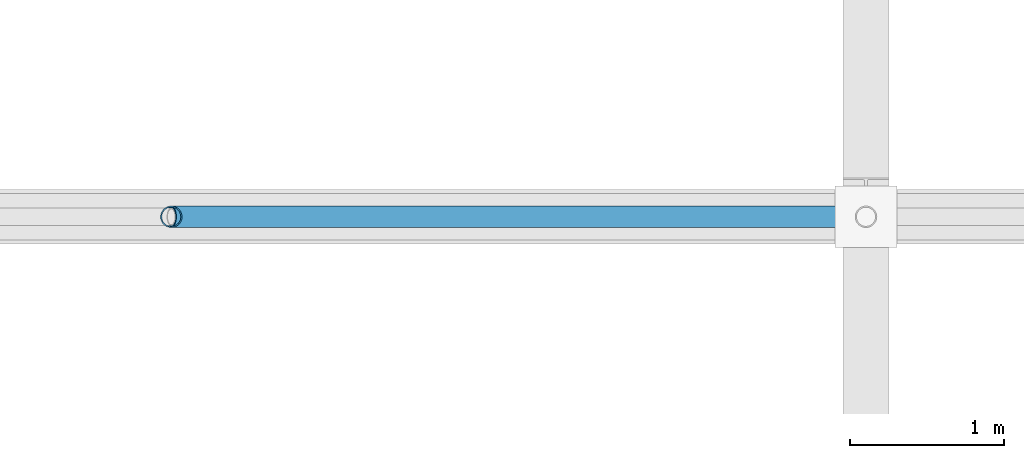
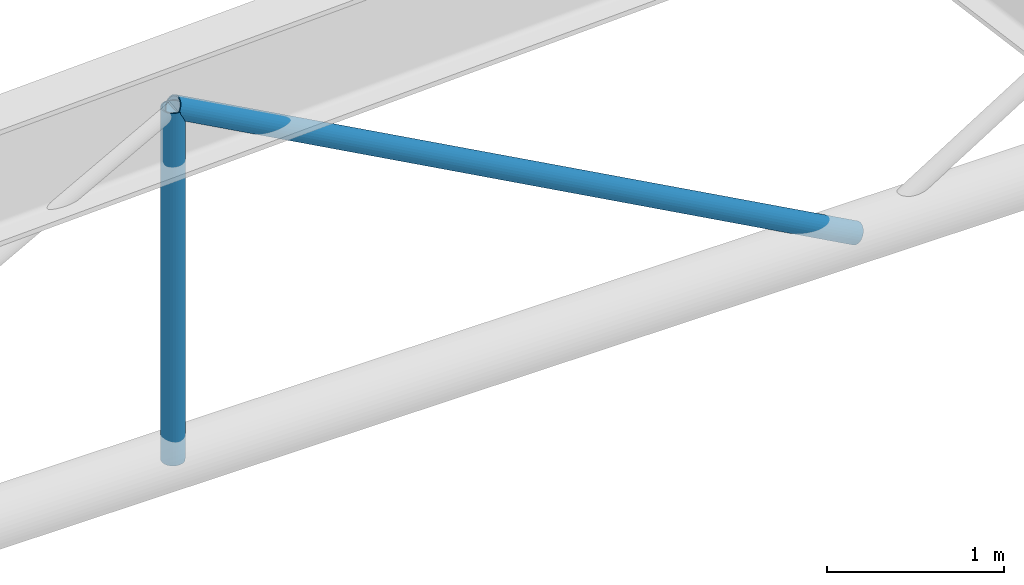
# One storey, part 40 of 80: 2 members.
"""IFC4 building model written with IfcOpenShell, lengths in metres."""

from ifc_helpers import new_model, si_unit, direction, frame, origin, origin_2d, place, context, subcontext, project, spatial, hollow_circle, extrude, material, material_profile, profile_set, type_object, element, save


model = new_model("IFC4")

# Units and contexts
model_context = context("Model", 3, precision=1e-05, world=origin(), true_north=direction((0.0, 1.0)))
body_context = subcontext(model_context, "Body", "Model", "MODEL_VIEW")
ifc_project = project(units=[si_unit("LENGTHUNIT", "METRE"), si_unit("AREAUNIT", "SQUARE_METRE"), si_unit("VOLUMEUNIT", "CUBIC_METRE"), si_unit("PLANEANGLEUNIT", "RADIAN"), si_unit("MASSUNIT", "GRAM", prefix="KILO")], contexts=[model_context])

# Site, building, storey
site_placement = place(None, origin())
site = spatial("IfcSite", under=ifc_project, at=site_placement, CompositionType="ELEMENT")
building_placement = place(site_placement, origin())
building = spatial("IfcBuilding", under=site, at=building_placement, Name="Barlavento Convention Centre", CompositionType="ELEMENT")
storey_placement = place(building_placement, frame((0.0, 0.0, 29.800048828125)))
storey = spatial("IfcBuildingStorey", under=building, at=storey_placement, Name="RF", CompositionType="ELEMENT", Elevation=29.800048828125)

# Members
ifc_material = material(Name="Steel S355", Category="steel")
ifc_material_profile = material_profile(ifc_material, hollow_circle(Radius=0.06982421875, WallThickness=0.008056640625, at=origin_2d()), Name="CHS 139.7x8.0")
ifc_profile_set = profile_set([ifc_material_profile], Name="Steel S355")
member_type = type_object("IfcMemberType", Name="STR-MEM-DIAG-CHS139", PredefinedType="BRACE", material=ifc_profile_set)
member_1_placement = place(storey_placement, frame((31.5, 36.0, -4.342041015625), z_axis=(0.0, 0.0, 1.0), x_axis=(1.0, 0.0, 0.0)))
element("IfcMember", 1, at=member_1_placement, inside=storey, type_object=member_type, Name="Plenary hall roof truss web member", PredefinedType="BRACE", context=body_context, shape_type="SweptSolid", body=[
    extrude(hollow_circle(Radius=0.06982421875, WallThickness=0.008056640625, at=origin_2d()), origin(), (0.0, 0.0, 1.0), 2.4296875),
])
member_2_placement = place(storey_placement, frame((31.5, 36.0, -1.912353515625), z_axis=(0.877693065925, 0.0, -0.479223206896), x_axis=(0.0, 1.0, 0.0)))
element("IfcMember", 2, at=member_2_placement, inside=storey, type_object=member_type, Name="Plenary hall roof truss web member", PredefinedType="BRACE", context=body_context, shape_type="SweptSolid", body=[
    extrude(hollow_circle(Radius=0.06982421875, WallThickness=0.008056640625, at=origin_2d()), origin(), (0.0, 0.0, 1.0), 5.070068359375),
])

save(model, "model.ifc")
